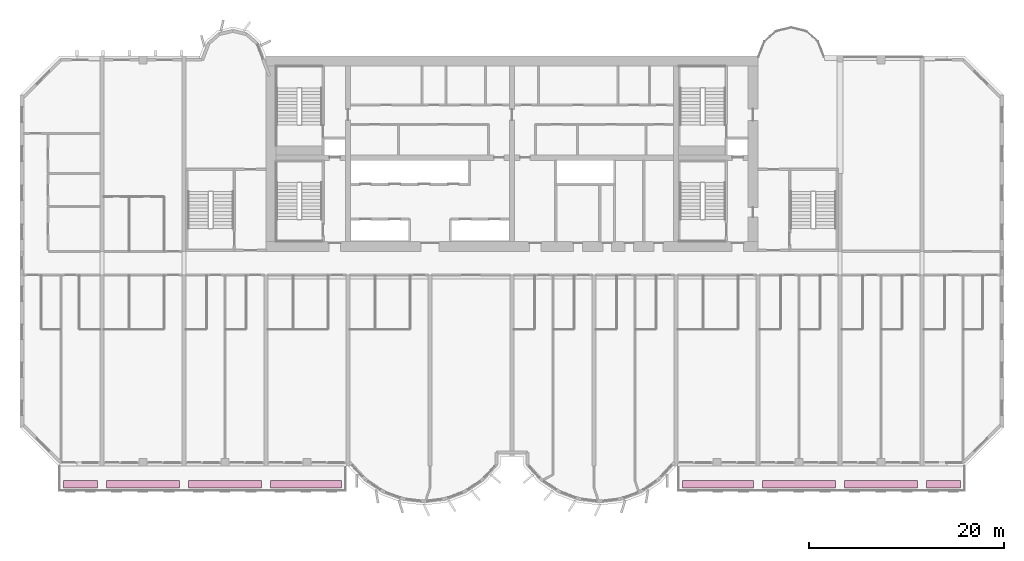
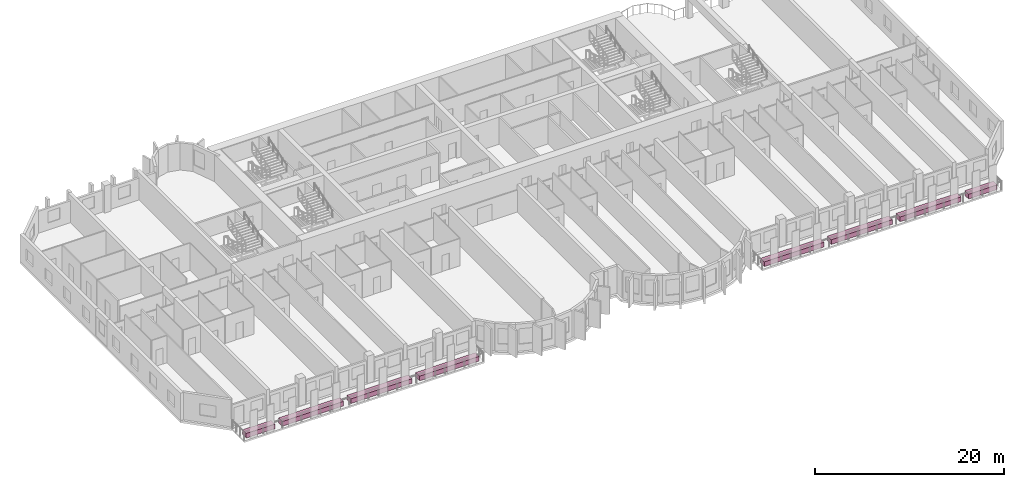
# One storey, part 14 of 14: 8 furniture elements.
"""IFC4 building model written with IfcOpenShell, lengths in metres."""

from ifc_helpers import new_model, si_unit, direction, frame, origin, origin_2d, place, context, subcontext, project, spatial, rectangle, extrude, source, transform, mapped, material, type_object, element, save


model = new_model("IFC4")

# Units and contexts
model_context = context("Model", 3, precision=1e-05, world=origin(), true_north=direction((0.0, 1.0)))
body_context = subcontext(model_context, "Body", "Model", "MODEL_VIEW")
ifc_project = project(units=[si_unit("LENGTHUNIT", "METRE"), si_unit("AREAUNIT", "SQUARE_METRE"), si_unit("VOLUMEUNIT", "CUBIC_METRE"), si_unit("PLANEANGLEUNIT", "RADIAN"), si_unit("MASSUNIT", "GRAM", prefix="KILO")], contexts=[model_context])

# Site, building, storey
site_placement = place(None, origin())
site = spatial("IfcSite", under=ifc_project, at=site_placement, CompositionType="ELEMENT")
building_placement = place(site_placement, origin())
building = spatial("IfcBuilding", under=site, at=building_placement, Name="Vanashikhar Sky Hotel", CompositionType="ELEMENT")
storey_placement = place(building_placement, frame((0.0, 0.0, 58.199951171875)))
storey = spatial("IfcBuildingStorey", under=building, at=storey_placement, Name="L13", CompositionType="ELEMENT", Elevation=58.199951171875)

# Furniture
ifc_material = material(Name="Planting soil and shrubs")
furniture_type = type_object("IfcFurnitureType", Name="Planter trough", AssemblyPlace="NOTDEFINED", PredefinedType="USERDEFINED", material=ifc_material)
shared_shape_1 = source(origin(), body_context, "Body", "SweptSolid", [
    extrude(rectangle(XDim=3.5, YDim=0.800048828125, at=origin_2d()), origin(), (0.0, 0.0, 1.0), 0.60009765625),
])
for number, where, z_axis, x_axis, name in (
    (1, (6.199951171875, -1.85009765625, -0.050048828125), (0.0, 0.0, 1.0), (1.0, 0.0, 0.0), "PLANTER with climbers"),
    (2, (94.60009765625, -1.85009765625, -0.050048828125), (0.0, 0.0, 1.0), (1.0, 0.0, 0.0), "PLANTER with climbers"),
):
    element("IfcFurniture", number, at=place(storey_placement, frame(where, z_axis=z_axis, x_axis=x_axis)), inside=storey, type_object=furniture_type, Name=name, ObjectType="PLANTER", PredefinedType="USERDEFINED", context=body_context, shape_type="MappedRepresentation", body=[
        mapped(shared_shape_1, transform((0.0, 0.0, 0.0), scale=1.0)),
    ])
shared_shape_2 = source(origin(), body_context, "Body", "SweptSolid", [
    extrude(rectangle(XDim=7.5, YDim=0.800048828125, at=origin_2d()), origin(), (0.0, 0.0, 1.0), 0.60009765625),
])
for number, where, z_axis, x_axis, name in (
    (3, (12.60009765625, -1.85009765625, -0.050048828125), (0.0, 0.0, 1.0), (1.0, 0.0, 0.0), "PLANTER with climbers"),
    (4, (21.0, -1.85009765625, -0.050048828125), (0.0, 0.0, 1.0), (1.0, 0.0, 0.0), "PLANTER with climbers"),
    (5, (79.800048828125, -1.85009765625, -0.050048828125), (0.0, 0.0, 1.0), (1.0, 0.0, 0.0), "PLANTER with climbers"),
    (6, (88.199951171875, -1.85009765625, -0.050048828125), (0.0, 0.0, 1.0), (1.0, 0.0, 0.0), "PLANTER with climbers"),
):
    element("IfcFurniture", number, at=place(storey_placement, frame(where, z_axis=z_axis, x_axis=x_axis)), inside=storey, type_object=furniture_type, Name=name, ObjectType="PLANTER", PredefinedType="USERDEFINED", context=body_context, shape_type="MappedRepresentation", body=[
        mapped(shared_shape_2, transform((0.0, 0.0, 0.0), scale=1.0)),
    ])
shared_shape_3 = source(origin(), body_context, "Body", "SweptSolid", [
    extrude(rectangle(XDim=7.300048828125, YDim=0.800048828125, at=origin_2d()), origin(), (0.0, 0.0, 1.0), 0.60009765625),
])
for number, where, z_axis, x_axis, name in (
    (7, (29.300048828125, -1.85009765625, -0.050048828125), (0.0, 0.0, 1.0), (1.0, 0.0, 0.0), "PLANTER with climbers"),
    (8, (71.5, -1.85009765625, -0.050048828125), (0.0, 0.0, 1.0), (1.0, 0.0, 0.0), "PLANTER with climbers"),
):
    element("IfcFurniture", number, at=place(storey_placement, frame(where, z_axis=z_axis, x_axis=x_axis)), inside=storey, type_object=furniture_type, Name=name, ObjectType="PLANTER", PredefinedType="USERDEFINED", context=body_context, shape_type="MappedRepresentation", body=[
        mapped(shared_shape_3, transform((0.0, 0.0, 0.0), scale=1.0)),
    ])

save(model, "model.ifc")
